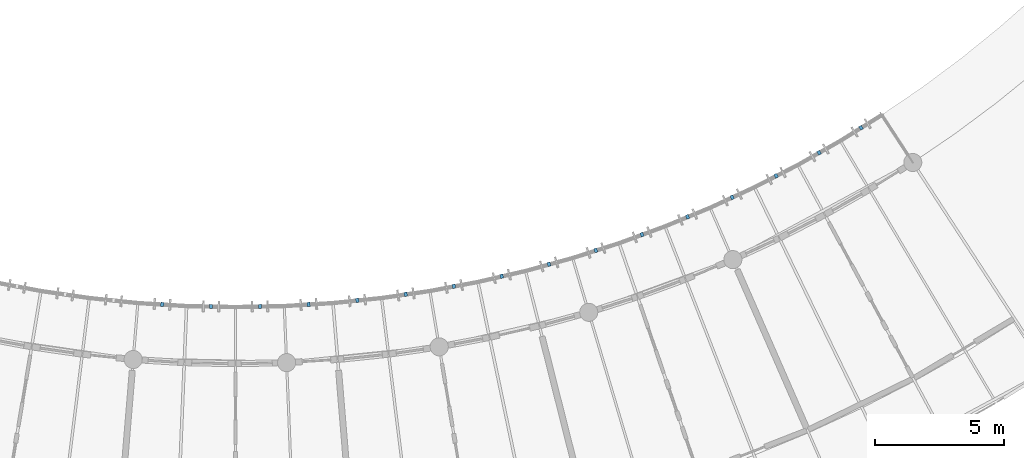
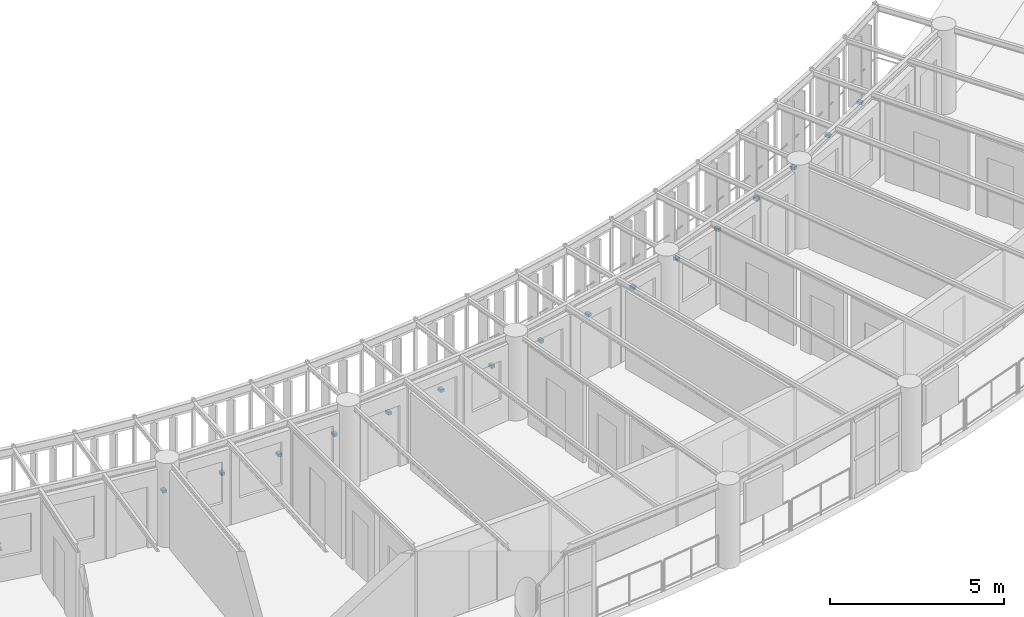
# One storey, part 84 of 100: 16 discrete accessories.
"""IFC4 building model written with IfcOpenShell, lengths in metres."""

from ifc_helpers import new_model, si_unit, direction, frame, origin, origin_2d, place, context, subcontext, project, spatial, rectangle, extrude, material, type_object, element, save


model = new_model("IFC4")

# Units and contexts
model_context = context("Model", 3, precision=1e-05, world=origin(), true_north=direction((0.0, 1.0)))
body_context = subcontext(model_context, "Body", "Model", "MODEL_VIEW")
ifc_project = project(units=[si_unit("LENGTHUNIT", "METRE"), si_unit("AREAUNIT", "SQUARE_METRE"), si_unit("VOLUMEUNIT", "CUBIC_METRE"), si_unit("PLANEANGLEUNIT", "RADIAN"), si_unit("MASSUNIT", "GRAM", prefix="KILO"), si_unit("POWERUNIT", "WATT"), si_unit("THERMODYNAMICTEMPERATUREUNIT", "KELVIN")], contexts=[model_context])

# Site, building, storey
site_placement = place(None, origin())
site = spatial("IfcSite", under=ifc_project, at=site_placement, CompositionType="ELEMENT")
building_placement = place(site_placement, origin())
building = spatial("IfcBuilding", under=site, at=building_placement, Name="Ruvembo Vaulted Housing Court", CompositionType="ELEMENT")
storey_placement = place(building_placement, frame((0.0, 0.0, 10.89990234375)))
storey = spatial("IfcBuildingStorey", under=building, at=storey_placement, Name="L03", CompositionType="ELEMENT", Elevation=10.89990234375)

# Discrete accessories
ifc_material = material(Name="Stainless Steel Grade 316", Category="steel")
discrete_accessory_type = type_object("IfcDiscreteAccessoryType", Name="ACC-BRACKET-SS", PredefinedType="BRACKET", material=ifc_material)
for number, where, z_axis, x_axis, name in (
    (1, (66.168212890625, 16.29736328125, 0.030029296875), (0.0, 0.0, 1.0), (-0.061832453863, -0.998086543166, 0.0), "Stainless Louvre Rail Bracket #164"),
    (2, (68.055419921875, 16.219482421875, 0.030029296875), (0.0, 0.0, 1.0), (-0.020645778066, -0.999786853208, 0.0), "Stainless Louvre Rail Bracket #165"),
    (3, (69.944580078125, 16.219482421875, 0.030029296875), (0.0, 0.0, 1.0), (0.020645778066, -0.999786853208, 0.0), "Stainless Louvre Rail Bracket #166"),
    (4, (71.831787109375, 16.29736328125, 0.030029296875), (0.0, 0.0, 1.0), (0.061832453863, -0.998086543166, 0.0), "Stainless Louvre Rail Bracket #167"),
    (5, (73.714111328125, 16.452880859375, 0.030029296875), (0.0, 0.0, 1.0), (0.102948783072, -0.994686658232, 0.0), "Stainless Louvre Rail Bracket #168"),
    (6, (75.58837890625, 16.686279296875, 0.030029296875), (0.0, 0.0, 1.0), (0.143872610257, -0.989596216655, 0.0), "Stainless Louvre Rail Bracket #169"),
    (7, (77.45166015625, 16.996337890625, 0.030029296875), (0.0, 0.0, 1.0), (0.184568910756, -0.982819575091, 0.0), "Stainless Louvre Rail Bracket #170"),
    (8, (79.300537109375, 17.38330078125, 0.030029296875), (0.0, 0.0, 1.0), (0.224951054344, -0.974370064785, 0.0), "Stainless Louvre Rail Bracket #171"),
    (9, (81.1318359375, 17.84619140625, 0.030029296875), (0.0, 0.0, 1.0), (0.264983965035, -0.96425281865, 0.0), "Stainless Louvre Rail Bracket #172"),
    (10, (82.9423828125, 18.384033203125, 0.030029296875), (0.0, 0.0, 1.0), (0.304448708958, -0.952528731122, 0.0), "Stainless Louvre Rail Bracket #173"),
    (11, (84.7294921875, 18.99609375, 0.030029296875), (0.0, 0.0, 1.0), (0.343512177766, -0.939148222447, 0.0), "Stainless Louvre Rail Bracket #174"),
    (12, (86.489501953125, 19.681396484375, 0.030029296875), (0.0, 0.0, 1.0), (0.381957701122, -0.924179806398, 0.0), "Stainless Louvre Rail Bracket #175"),
    (13, (88.219970703125, 20.438720703125, 0.030029296875), (0.0, 0.0, 1.0), (0.419737248448, -0.90764565898, 0.0), "Stainless Louvre Rail Bracket #176"),
    (14, (89.917724609375, 21.266845703125, 0.030029296875), (0.0, 0.0, 1.0), (0.456849537333, -0.889543984432, 0.0), "Stainless Louvre Rail Bracket #177"),
    (15, (91.579833984375, 22.1640625, 0.030029296875), (0.0, 0.0, 1.0), (0.493106983922, -0.86996867898, 0.0), "Stainless Louvre Rail Bracket #178"),
    (16, (93.20361328125, 23.129150390625, 0.030029296875), (0.0, 0.0, 1.0), (0.528556868381, -0.848897895443, 0.0), "Stainless Louvre Rail Bracket #179"),
):
    element("IfcDiscreteAccessory", number, at=place(storey_placement, frame(where, z_axis=z_axis, x_axis=x_axis)), inside=storey, type_object=discrete_accessory_type, Name=name, PredefinedType="BRACKET", context=body_context, shape_type="SweptSolid", body=[
        extrude(rectangle(XDim=0.159912109375, YDim=0.1201171875, at=origin_2d()), origin(), (0.0, 0.0, 1.0), 0.10009765625),
    ])

save(model, "model.ifc")
